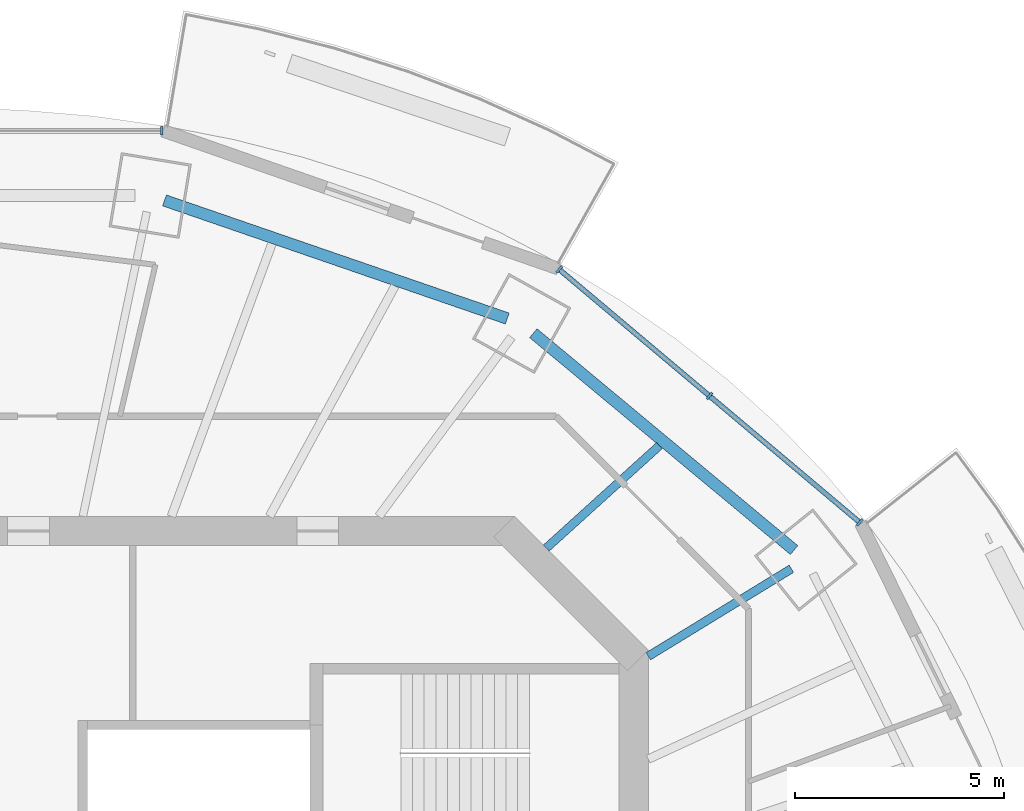
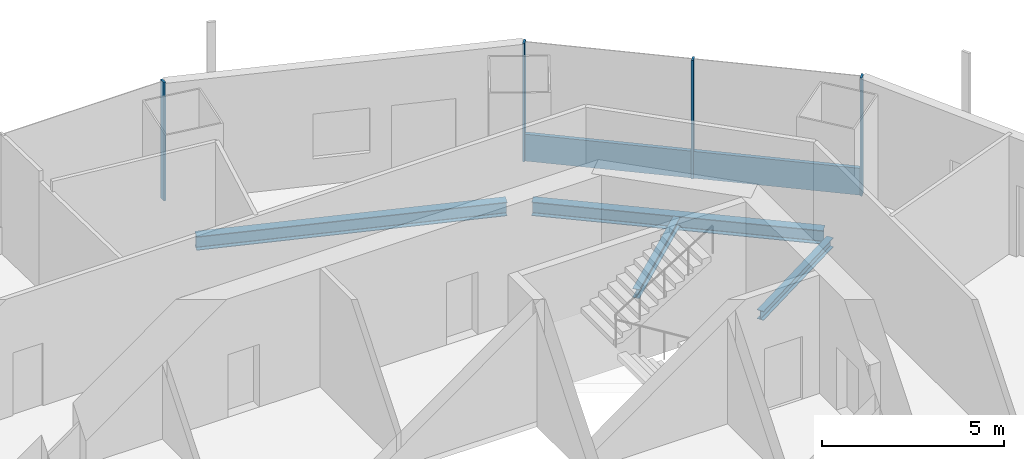
# One storey, part 6 of 16: 5 members, 4 beams, 2 elements without a shape of their own.
"""IFC4 building model written with IfcOpenShell, lengths in metres."""

from ifc_helpers import new_model, si_unit, direction, frame, origin, origin_2d, place, context, subcontext, project, spatial, rectangle, i_section, extrude, material, material_profile, profile_set, type_object, element, aggregate, save


model = new_model("IFC4")

# Units and contexts
model_context = context("Model", 3, precision=1e-05, world=origin(), true_north=direction((0.0, 1.0)))
body_context = subcontext(model_context, "Body", "Model", "MODEL_VIEW")
ifc_project = project(units=[si_unit("LENGTHUNIT", "METRE"), si_unit("AREAUNIT", "SQUARE_METRE"), si_unit("VOLUMEUNIT", "CUBIC_METRE"), si_unit("PLANEANGLEUNIT", "RADIAN"), si_unit("MASSUNIT", "GRAM", prefix="KILO")], contexts=[model_context])

# Site, building, storey
site_placement = place(None, origin())
site = spatial("IfcSite", under=ifc_project, at=site_placement, CompositionType="ELEMENT")
building_placement = place(site_placement, origin())
building = spatial("IfcBuilding", under=site, at=building_placement, Name="Marenthal Gate Tower", CompositionType="ELEMENT")
storey_placement = place(building_placement, frame((0.0, 0.0, 367.5)))
storey = spatial("IfcBuildingStorey", under=building, at=storey_placement, Name="L83", CompositionType="ELEMENT", Elevation=367.5)

# Curtain wall, members
ifc_material_1 = material(Name="Aluminium and glass", Category="aluminium")
curtain_wall_type = type_object("IfcCurtainWallType", Name="Curtain wall typical high", PredefinedType="NOTDEFINED", material=ifc_material_1)
curtain_wall_1_placement = place(storey_placement, origin())
curtain_wall_1 = element("IfcCurtainWall", 1, at=curtain_wall_1_placement, inside=storey, type_object=curtain_wall_type, Name="Curtain wall L83 bay 2", PredefinedType="NOTDEFINED")
ifc_material_2 = material(Name="Aluminium", Category="aluminium")
ifc_material_profile_1 = material_profile(ifc_material_2, rectangle(XDim=0.199951171875, YDim=0.06005859375, at=origin_2d()), Name="60x200 aluminium mullion")
ifc_profile_set_1 = profile_set([ifc_material_profile_1], Name="Aluminium")
member_type_1 = type_object("IfcMemberType", Name="Mullion 60x200 typical high", PredefinedType="MULLION", material=ifc_profile_set_1)
member_1_placement = place(storey_placement, frame((21.41552734375, 13.20361328125, 0.0), z_axis=(0.0, 0.0, 1.0), x_axis=(-0.644022605429, -0.765006459905, 0.0)))
member_1 = element("IfcMember", 2, at=member_1_placement, type_object=member_type_1, Name="Mullion L83 bay 2.1", PredefinedType="MULLION", context=body_context, shape_type="SweptSolid", body=[
    extrude(rectangle(XDim=0.199951171875, YDim=0.06005859375, at=origin_2d()), origin(), (0.0, 0.0, 1.0), 3.969970703125),
])
member_2_placement = place(storey_placement, frame((17.815185546875, 16.234375, 0.0), z_axis=(0.0, 0.0, 1.0), x_axis=(-0.644022605429, -0.765006459905, 0.0)))
member_2 = element("IfcMember", 3, at=member_2_placement, type_object=member_type_1, Name="Mullion L83 bay 2.2", PredefinedType="MULLION", context=body_context, shape_type="SweptSolid", body=[
    extrude(rectangle(XDim=0.199951171875, YDim=0.06005859375, at=origin_2d()), origin(), (0.0, 0.0, 1.0), 3.969970703125),
])
member_3_placement = place(storey_placement, frame((14.215087890625, 19.26513671875, 0.0), z_axis=(0.0, 0.0, 1.0), x_axis=(-0.644022605429, -0.765006459905, 0.0)))
member_3 = element("IfcMember", 4, at=member_3_placement, type_object=member_type_1, Name="Mullion L83 bay 2.3", PredefinedType="MULLION", context=body_context, shape_type="SweptSolid", body=[
    extrude(rectangle(XDim=0.199951171875, YDim=0.06005859375, at=origin_2d()), origin(), (0.0, 0.0, 1.0), 3.969970703125),
])

# Curtain wall, member
curtain_wall_2_placement = place(storey_placement, origin())
curtain_wall_2 = element("IfcCurtainWall", 5, at=curtain_wall_2_placement, inside=storey, type_object=curtain_wall_type, Name="Curtain wall L83 bay 4", PredefinedType="NOTDEFINED")
member_4_placement = place(storey_placement, frame((4.694091796875, 22.586181640625, 0.0), z_axis=(0.0, 0.0, 1.0), x_axis=(0.0, -1.0, 0.0)))
member_4 = element("IfcMember", 6, at=member_4_placement, type_object=member_type_1, Name="Mullion L83 bay 4.1", PredefinedType="MULLION", context=body_context, shape_type="SweptSolid", body=[
    extrude(rectangle(XDim=0.199951171875, YDim=0.06005859375, at=origin_2d()), origin(), (0.0, 0.0, 1.0), 3.969970703125),
])
aggregate(curtain_wall_2, [member_4])

# Member
ifc_material_3 = material(Name="Aluminium", Category="aluminium")
ifc_material_profile_2 = material_profile(ifc_material_3, rectangle(XDim=0.1201171875, YDim=0.89990234375, at=origin_2d()), Name="120x900 aluminium transom")
ifc_profile_set_2 = profile_set([ifc_material_profile_2], Name="Aluminium")
member_type_2 = type_object("IfcMemberType", Name="Transom 120x900 typical high", PredefinedType="USERDEFINED", material=ifc_profile_set_2)
member_5_placement = place(storey_placement, frame((21.392578125, 13.222900390625, 0.449951171875), z_axis=(-0.76501273232, 0.644015154626, 0.0), x_axis=(-0.644015154626, -0.76501273232, 0.0)))
member_5 = element("IfcMember", 7, at=member_5_placement, type_object=member_type_2, Name="Transom L83 bay 2", ObjectType="TRANSOM", PredefinedType="USERDEFINED", context=body_context, shape_type="SweptSolid", body=[
    extrude(rectangle(XDim=0.1201171875, YDim=0.89990234375, at=origin_2d()), origin(), (0.0, 0.0, 1.0), 9.352294921875),
])

aggregate(curtain_wall_1, [member_1, member_2, member_3, member_5])

# Beams
ifc_material_4 = material(Name="Steel S355", Category="steel")
ifc_material_profile_3 = material_profile(ifc_material_4, i_section(OverallWidth=0.202880859375, OverallDepth=0.302001953125, WebThickness=0.007568359375, FlangeThickness=0.01318359375, FilletRadius=0.0126953125, at=origin_2d()), Name="W310X60")
ifc_profile_set_3 = profile_set([ifc_material_profile_3], Name="Steel S355")
beam_type_1 = type_object("IfcBeamType", Name="W310X60 beam", PredefinedType="BEAM", material=ifc_profile_set_3)
beam_1_placement = place(storey_placement, frame((16.614990234375, 15.044189453125, -0.3310546875), z_axis=(-0.741262042513, -0.671215750954, 0.0), x_axis=(0.671215750954, -0.741262042513, 0.0)))
element("IfcBeam", 8, at=beam_1_placement, inside=storey, type_object=beam_type_1, Name="BM-L83-19", PredefinedType="BEAM", context=body_context, shape_type="SweptSolid", body=[
    extrude(i_section(OverallWidth=0.202880859375, OverallDepth=0.302001953125, WebThickness=0.007568359375, FlangeThickness=0.01318359375, FilletRadius=0.0126953125, at=origin_2d()), origin(), (0.0, 0.0, 1.0), 3.65625),
])
ifc_material_5 = material(Name="Steel S355", Category="steel")
ifc_material_profile_4 = material_profile(ifc_material_5, i_section(OverallWidth=0.205078125, OverallDepth=0.31005859375, WebThickness=0.009521484375, FlangeThickness=0.016357421875, FilletRadius=0.0126953125, at=origin_2d()), Name="W310X74")
ifc_profile_set_4 = profile_set([ifc_material_profile_4], Name="Steel S355")
beam_type_2 = type_object("IfcBeamType", Name="W310X74 beam", PredefinedType="BEAM", material=ifc_profile_set_4)
beam_2_placement = place(storey_placement, frame((19.77734375, 12.093994140625, -0.3349609375), z_axis=(-0.853113540312, -0.521725298731, 0.0), x_axis=(0.521725298731, -0.853113540312, 0.0)))
element("IfcBeam", 9, at=beam_2_placement, inside=storey, type_object=beam_type_2, Name="BM-L83-02", PredefinedType="BEAM", context=body_context, shape_type="SweptSolid", body=[
    extrude(i_section(OverallWidth=0.205078125, OverallDepth=0.31005859375, WebThickness=0.009521484375, FlangeThickness=0.016357421875, FilletRadius=0.0126953125, at=origin_2d()), origin(), (0.0, 0.0, 1.0), 4.017333984375),
])
ifc_material_6 = material(Name="Steel S355", Category="steel")
ifc_material_profile_5 = material_profile(ifc_material_6, i_section(OverallWidth=0.279052734375, OverallDepth=0.4619140625, WebThickness=0.0107421875, FlangeThickness=0.017333984375, FilletRadius=0.010009765625, at=origin_2d()), Name="W460X113")
ifc_profile_set_5 = profile_set([ifc_material_profile_5], Name="Steel S355")
beam_type_3 = type_object("IfcBeamType", Name="W460X113 beam", PredefinedType="BEAM", material=ifc_profile_set_5)
beam_3_placement = place(storey_placement, frame((19.84228515625, 12.541259765625, -0.410888671875), z_axis=(-0.768814455902, 0.639471916816, 0.0), x_axis=(-0.639471916816, -0.768814455902, 0.0)))
element("IfcBeam", 10, at=beam_3_placement, inside=storey, type_object=beam_type_3, Name="BM-L83-40", PredefinedType="BEAM", context=body_context, shape_type="SweptSolid", body=[
    extrude(i_section(OverallWidth=0.279052734375, OverallDepth=0.4619140625, WebThickness=0.0107421875, FlangeThickness=0.017333984375, FilletRadius=0.010009765625, at=origin_2d()), origin(), (0.0, 0.0, 1.0), 8.1259765625),
])
beam_4_placement = place(storey_placement, frame((12.970703125, 18.089111328125, -0.410888671875), z_axis=(-0.94545359895, 0.32575679921, 0.0), x_axis=(-0.32575679921, -0.94545359895, 0.0)))
element("IfcBeam", 11, at=beam_4_placement, inside=storey, type_object=beam_type_3, Name="BM-L83-41", PredefinedType="BEAM", context=body_context, shape_type="SweptSolid", body=[
    extrude(i_section(OverallWidth=0.279052734375, OverallDepth=0.4619140625, WebThickness=0.0107421875, FlangeThickness=0.017333984375, FilletRadius=0.010009765625, at=origin_2d()), origin(), (0.0, 0.0, 1.0), 8.686279296875),
])

save(model, "model.ifc")
